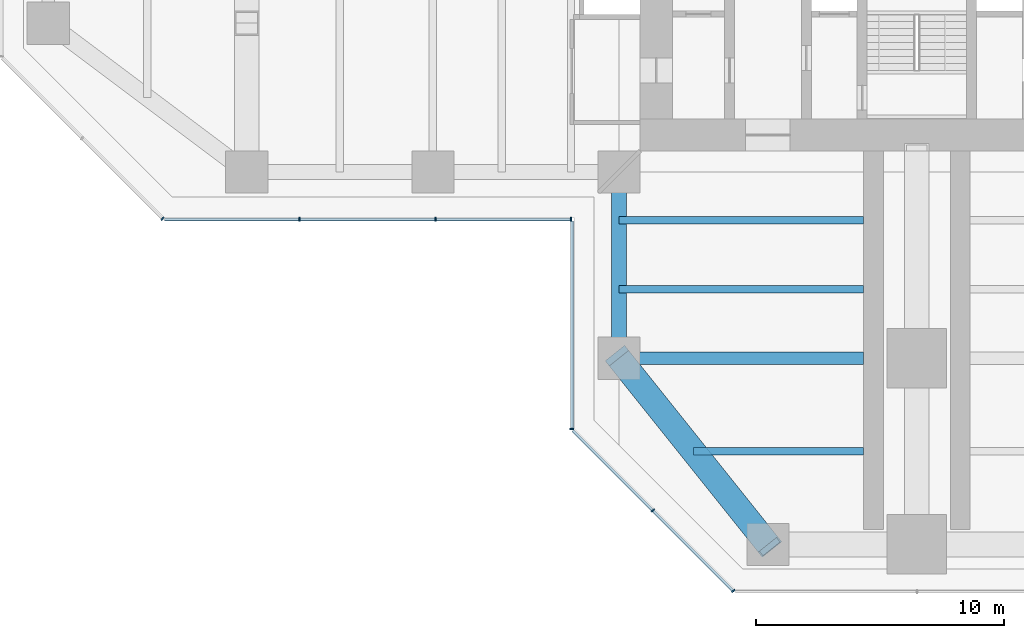
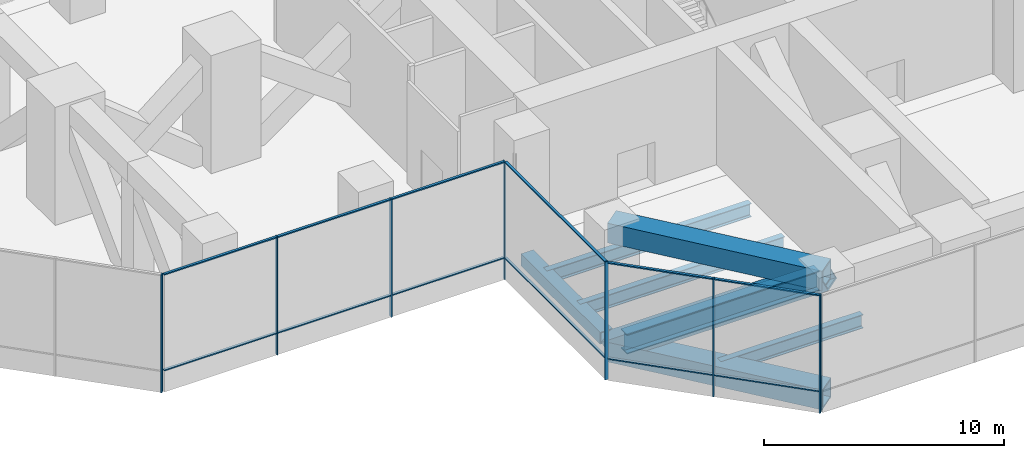
# One storey, part 2 of 19: 22 members, 5 beams, 4 elements without a shape of their own.
"""IFC4 building model written with IfcOpenShell, lengths in metres."""

from ifc_helpers import new_model, si_unit, direction, frame, origin, origin_2d, place, context, subcontext, project, spatial, rectangle, hollow_rectangle, i_section, extrude, material, material_profile, profile_set, type_object, element, aggregate, save


model = new_model("IFC4")

# Units and contexts
model_context = context("Model", 3, precision=1e-05, world=origin(), true_north=direction((0.0, 1.0)))
body_context = subcontext(model_context, "Body", "Model", "MODEL_VIEW")
ifc_project = project(units=[si_unit("LENGTHUNIT", "METRE"), si_unit("AREAUNIT", "SQUARE_METRE"), si_unit("VOLUMEUNIT", "CUBIC_METRE"), si_unit("PLANEANGLEUNIT", "RADIAN"), si_unit("MASSUNIT", "GRAM", prefix="KILO")], contexts=[model_context])

# Site, building, storey
site_placement = place(None, origin())
site = spatial("IfcSite", under=ifc_project, at=site_placement, CompositionType="ELEMENT")
building_placement = place(site_placement, origin())
building = spatial("IfcBuilding", under=site, at=building_placement, Name="Mizan Broadcast Tower", CompositionType="ELEMENT")
storey_placement = place(building_placement, frame((0.0, 0.0, 198.89990234375)))
storey = spatial("IfcBuildingStorey", under=building, at=storey_placement, Name="L46", CompositionType="ELEMENT", Elevation=198.89990234375)

# Members
ifc_material_1 = material(Name="Steel S460", Category="steel")
ifc_material_profile_1 = material_profile(ifc_material_1, hollow_rectangle(XDim=1.0, YDim=1.0, WallThickness=0.080078125, at=origin_2d()), Name="BOX 1000x1000x80")
ifc_profile_set_1 = profile_set([ifc_material_profile_1], Name="Steel S460")
member_type_1 = type_object("IfcMemberType", Name="BELT TRUSS BT3 CHORD BOX 1000x1000x80", PredefinedType="CHORD", material=ifc_profile_set_1)
for number, where, z_axis, x_axis, name in (
    (1, (-12.0, -19.5, -0.679931640625), (0.624695047554, -0.780868809443, 0.0), (0.780868809443, 0.624695047554, 0.0), "Belt truss BT3-S27 bottom chord 1"),
    (2, (-12.0, -19.5, 5.3701171875), (0.624695047554, -0.780868809443, 0.0), (0.780868809443, 0.624695047554, 0.0), "Belt truss BT3-S27 top chord 1"),
):
    element("IfcMember", number, at=place(storey_placement, frame(where, z_axis=z_axis, x_axis=x_axis)), inside=storey, type_object=member_type_1, Name=name, PredefinedType="CHORD", context=body_context, shape_type="SweptSolid", body=[
        extrude(hollow_rectangle(XDim=1.0, YDim=1.0, WallThickness=0.080078125, at=origin_2d()), origin(), (0.0, 0.0, 1.0), 9.604736328125),
    ])
ifc_material_2 = material(Name="Steel S460", Category="steel")
ifc_material_profile_2 = material_profile(ifc_material_2, hollow_rectangle(XDim=1.0, YDim=1.0, WallThickness=0.06005859375, at=origin_2d()), Name="BOX 1000x1000x60")
ifc_profile_set_2 = profile_set([ifc_material_profile_2], Name="Steel S460")
member_type_2 = type_object("IfcMemberType", Name="BELT TRUSS BT3 DIAGONAL BOX 1000x1000x60", PredefinedType="BRACE", material=ifc_profile_set_2)
member_1_placement = place(storey_placement, frame((-12.0, -19.5, -0.679931640625), z_axis=(0.528571606356, -0.660714507945, 0.532980671269), x_axis=(0.780868809443, 0.624695047554, 0.0)))
element("IfcMember", 3, at=member_1_placement, inside=storey, type_object=member_type_2, Name="Belt truss BT3-S27 diagonal 1", PredefinedType="BRACE", context=body_context, shape_type="SweptSolid", body=[
    extrude(hollow_rectangle(XDim=1.0, YDim=1.0, WallThickness=0.06005859375, at=origin_2d()), origin(), (0.0, 0.0, 1.0), 11.351318359375),
])

# Beams
ifc_material_3 = material(Name="Steel S355", Category="steel")
ifc_material_profile_3 = material_profile(ifc_material_3, hollow_rectangle(XDim=0.60009765625, YDim=0.60009765625, WallThickness=0.0400390625, at=origin_2d()), Name="BOX 600x600x40")
ifc_profile_set_3 = profile_set([ifc_material_profile_3], Name="Steel S355")
beam_type_1 = type_object("IfcBeamType", Name="EDGE BEAM BOX 600x600x40", PredefinedType="SPANDREL", material=ifc_profile_set_3)
beam_1_placement = place(storey_placement, frame((-12.0, -12.449951171875, -0.47998046875), z_axis=(0.0, -1.0, 0.0), x_axis=(1.0, 0.0, 0.0)))
element("IfcBeam", 4, at=beam_1_placement, inside=storey, type_object=beam_type_1, Name="Edge beam BOX 600x600x40 L46 south arm", PredefinedType="SPANDREL", context=body_context, shape_type="SweptSolid", body=[
    extrude(hollow_rectangle(XDim=0.60009765625, YDim=0.60009765625, WallThickness=0.0400390625, at=origin_2d()), origin(), (0.0, 0.0, 1.0), 6.60009765625),
])
ifc_material_4 = material(Name="Steel S460", Category="steel")
ifc_material_profile_4 = material_profile(ifc_material_4, i_section(OverallWidth=0.5, OverallDepth=1.0, WebThickness=0.02490234375, FlangeThickness=0.050048828125, at=origin_2d()), Name="WPG 1000x500")
ifc_profile_set_4 = profile_set([ifc_material_profile_4], Name="Steel S460")
beam_type_2 = type_object("IfcBeamType", Name="GIRDER WPG 1000x500", PredefinedType="BEAM", material=ifc_profile_set_4)
beam_2_placement = place(storey_placement, frame((-11.408935546875, -19.5, -0.679931640625), z_axis=(1.0, 0.0, 0.0), x_axis=(0.0, 1.0, 0.0)))
element("IfcBeam", 5, at=beam_2_placement, inside=storey, type_object=beam_type_2, Name="Girder WPG 1000x500 L46 south arm", PredefinedType="BEAM", context=body_context, shape_type="SweptSolid", body=[
    extrude(i_section(OverallWidth=0.5, OverallDepth=1.0, WebThickness=0.02490234375, FlangeThickness=0.050048828125, at=origin_2d()), origin(), (0.0, 0.0, 1.0), 9.259033203125),
])

# Curtain wall, member
ifc_material_5 = material(Name="Aluminium framed glazing", Category="aluminium")
curtain_wall_type = type_object("IfcCurtainWallType", Name="PLANT LOUVRE", PredefinedType="USERDEFINED", material=ifc_material_5)
curtain_wall_1_placement = place(storey_placement, origin())
curtain_wall_1 = element("IfcCurtainWall", 6, at=curtain_wall_1_placement, inside=storey, type_object=curtain_wall_type, Name="Plant louvre L46 W chamfer", ObjectType="PLANT LOUVRE", PredefinedType="USERDEFINED")
ifc_material_6 = material(Name="Aluminium, pale anodised", Category="aluminium")
ifc_material_profile_5 = material_profile(ifc_material_6, rectangle(XDim=0.159912109375, YDim=0.06005859375, at=origin_2d()), Name="MULLION 160x60")
ifc_profile_set_5 = profile_set([ifc_material_profile_5], Name="Aluminium, pale anodised")
member_type_3 = type_object("IfcMemberType", Name="INNER SKIN MULLION 60x160", PredefinedType="MULLION", material=ifc_profile_set_5)
member_2_placement = place(storey_placement, frame((-30.39404296875, -13.87890625, 0.0), z_axis=(0.0, 0.0, 1.0), x_axis=(0.707106781187, 0.707106781187, 0.0)))
member_2 = element("IfcMember", 7, at=member_2_placement, type_object=member_type_3, Name="Plant louvre L46 W chamfer mullion 3", PredefinedType="MULLION", context=body_context, shape_type="SweptSolid", body=[
    extrude(rectangle(XDim=0.159912109375, YDim=0.06005859375, at=origin_2d()), origin(), (0.0, 0.0, 1.0), 6.0),
])
aggregate(curtain_wall_1, [member_2])

# Curtain wall, members
curtain_wall_2_placement = place(storey_placement, origin())
curtain_wall_2 = element("IfcCurtainWall", 8, at=curtain_wall_2_placement, inside=storey, type_object=curtain_wall_type, Name="Plant louvre L46 W side", ObjectType="PLANT LOUVRE", PredefinedType="USERDEFINED")
member_3_placement = place(storey_placement, frame((-24.8818359375, -13.89990234375, 0.0), z_axis=(0.0, 0.0, 1.0), x_axis=(0.0, 1.0, 0.0)))
member_3 = element("IfcMember", 9, at=member_3_placement, type_object=member_type_3, Name="Plant louvre L46 W side mullion 2", PredefinedType="MULLION", context=body_context, shape_type="SweptSolid", body=[
    extrude(rectangle(XDim=0.159912109375, YDim=0.06005859375, at=origin_2d()), origin(), (0.0, 0.0, 1.0), 6.0),
])
member_4_placement = place(storey_placement, frame((-19.390869140625, -13.89990234375, 0.0), z_axis=(0.0, 0.0, 1.0), x_axis=(0.0, 1.0, 0.0)))
member_4 = element("IfcMember", 10, at=member_4_placement, type_object=member_type_3, Name="Plant louvre L46 W side mullion 3", PredefinedType="MULLION", context=body_context, shape_type="SweptSolid", body=[
    extrude(rectangle(XDim=0.159912109375, YDim=0.06005859375, at=origin_2d()), origin(), (0.0, 0.0, 1.0), 6.0),
])
member_5_placement = place(storey_placement, frame((-13.929931640625, -13.89990234375, 0.0), z_axis=(0.0, 0.0, 1.0), x_axis=(0.0, 1.0, 0.0)))
member_5 = element("IfcMember", 11, at=member_5_placement, type_object=member_type_3, Name="Plant louvre L46 W side mullion 4", PredefinedType="MULLION", context=body_context, shape_type="SweptSolid", body=[
    extrude(rectangle(XDim=0.159912109375, YDim=0.06005859375, at=origin_2d()), origin(), (0.0, 0.0, 1.0), 6.0),
])

# Curtain wall, member
curtain_wall_3_placement = place(storey_placement, origin())
curtain_wall_3 = element("IfcCurtainWall", 12, at=curtain_wall_3_placement, inside=storey, type_object=curtain_wall_type, Name="Plant louvre L46 S side", ObjectType="PLANT LOUVRE", PredefinedType="USERDEFINED")
member_6_placement = place(storey_placement, frame((-13.89990234375, -22.3427734375, 0.0), z_axis=(0.0, 0.0, 1.0), x_axis=(1.0, 0.0, 0.0)))
member_6 = element("IfcMember", 13, at=member_6_placement, type_object=member_type_3, Name="Plant louvre L46 S side mullion 2", PredefinedType="MULLION", context=body_context, shape_type="SweptSolid", body=[
    extrude(rectangle(XDim=0.159912109375, YDim=0.06005859375, at=origin_2d()), origin(), (0.0, 0.0, 1.0), 6.0),
])

# Curtain wall, members
curtain_wall_4_placement = place(storey_placement, origin())
curtain_wall_4 = element("IfcCurtainWall", 14, at=curtain_wall_4_placement, inside=storey, type_object=curtain_wall_type, Name="Plant louvre L46 S chamfer", ObjectType="PLANT LOUVRE", PredefinedType="USERDEFINED")
member_7_placement = place(storey_placement, frame((-10.636474609375, -25.636474609375, 0.0), z_axis=(0.0, 0.0, 1.0), x_axis=(0.707106781187, 0.707106781187, 0.0)))
member_7 = element("IfcMember", 15, at=member_7_placement, type_object=member_type_3, Name="Plant louvre L46 S chamfer mullion 2", PredefinedType="MULLION", context=body_context, shape_type="SweptSolid", body=[
    extrude(rectangle(XDim=0.159912109375, YDim=0.06005859375, at=origin_2d()), origin(), (0.0, 0.0, 1.0), 6.0),
])
member_8_placement = place(storey_placement, frame((-7.39404296875, -28.87890625, 0.0), z_axis=(0.0, 0.0, 1.0), x_axis=(0.707106781187, 0.707106781187, 0.0)))
member_8 = element("IfcMember", 16, at=member_8_placement, type_object=member_type_3, Name="Plant louvre L46 S chamfer mullion 3", PredefinedType="MULLION", context=body_context, shape_type="SweptSolid", body=[
    extrude(rectangle(XDim=0.159912109375, YDim=0.06005859375, at=origin_2d()), origin(), (0.0, 0.0, 1.0), 6.0),
])

# Member
ifc_material_7 = material(Name="Aluminium, pale anodised", Category="aluminium")
ifc_material_profile_6 = material_profile(ifc_material_7, rectangle(XDim=0.1201171875, YDim=0.06005859375, at=origin_2d()), Name="TRANSOM 120x60")
ifc_profile_set_6 = profile_set([ifc_material_profile_6], Name="Aluminium, pale anodised")
member_type_4 = type_object("IfcMemberType", Name="INNER SKIN TRANSOM 60x120", PredefinedType="USERDEFINED", material=ifc_profile_set_6)
member_9_placement = place(storey_placement, frame((-30.312744140625, -13.89990234375, 1.10009765625), z_axis=(1.0, 0.0, 0.0), x_axis=(0.0, 1.0, 0.0)))
member_9 = element("IfcMember", 17, at=member_9_placement, type_object=member_type_4, Name="Plant louvre L46 W side transom 1.1", ObjectType="TRANSOM", PredefinedType="USERDEFINED", context=body_context, shape_type="SweptSolid", body=[
    extrude(rectangle(XDim=0.1201171875, YDim=0.06005859375, at=origin_2d()), origin(), (0.0, 0.0, 1.0), 5.40087890625),
])

member_10_placement = place(storey_placement, frame((-30.312744140625, -13.89990234375, 5.97021484375), z_axis=(1.0, 0.0, 0.0), x_axis=(0.0, 1.0, 0.0)))
member_10 = element("IfcMember", 18, at=member_10_placement, type_object=member_type_4, Name="Plant louvre L46 W side transom 1.2", ObjectType="TRANSOM", PredefinedType="USERDEFINED", context=body_context, shape_type="SweptSolid", body=[
    extrude(rectangle(XDim=0.1201171875, YDim=0.06005859375, at=origin_2d()), origin(), (0.0, 0.0, 1.0), 5.40087890625),
])

member_11_placement = place(storey_placement, frame((-24.851806640625, -13.89990234375, 1.10009765625), z_axis=(1.0, 0.0, 0.0), x_axis=(0.0, 1.0, 0.0)))
member_11 = element("IfcMember", 19, at=member_11_placement, type_object=member_type_4, Name="Plant louvre L46 W side transom 2.1", ObjectType="TRANSOM", PredefinedType="USERDEFINED", context=body_context, shape_type="SweptSolid", body=[
    extrude(rectangle(XDim=0.1201171875, YDim=0.06005859375, at=origin_2d()), origin(), (0.0, 0.0, 1.0), 5.430908203125),
])

member_12_placement = place(storey_placement, frame((-24.851806640625, -13.89990234375, 5.97021484375), z_axis=(1.0, 0.0, 0.0), x_axis=(0.0, 1.0, 0.0)))
member_12 = element("IfcMember", 20, at=member_12_placement, type_object=member_type_4, Name="Plant louvre L46 W side transom 2.2", ObjectType="TRANSOM", PredefinedType="USERDEFINED", context=body_context, shape_type="SweptSolid", body=[
    extrude(rectangle(XDim=0.1201171875, YDim=0.06005859375, at=origin_2d()), origin(), (0.0, 0.0, 1.0), 5.430908203125),
])

member_13_placement = place(storey_placement, frame((-19.36083984375, -13.89990234375, 1.10009765625), z_axis=(1.0, 0.0, 0.0), x_axis=(0.0, 1.0, 0.0)))
member_13 = element("IfcMember", 21, at=member_13_placement, type_object=member_type_4, Name="Plant louvre L46 W side transom 3.1", ObjectType="TRANSOM", PredefinedType="USERDEFINED", context=body_context, shape_type="SweptSolid", body=[
    extrude(rectangle(XDim=0.1201171875, YDim=0.06005859375, at=origin_2d()), origin(), (0.0, 0.0, 1.0), 5.40087890625),
])

member_14_placement = place(storey_placement, frame((-19.36083984375, -13.89990234375, 5.97021484375), z_axis=(1.0, 0.0, 0.0), x_axis=(0.0, 1.0, 0.0)))
member_14 = element("IfcMember", 22, at=member_14_placement, type_object=member_type_4, Name="Plant louvre L46 W side transom 3.2", ObjectType="TRANSOM", PredefinedType="USERDEFINED", context=body_context, shape_type="SweptSolid", body=[
    extrude(rectangle(XDim=0.1201171875, YDim=0.06005859375, at=origin_2d()), origin(), (0.0, 0.0, 1.0), 5.40087890625),
])

aggregate(curtain_wall_2, [member_3, member_4, member_5, member_9, member_10, member_11, member_12, member_13, member_14])

member_15_placement = place(storey_placement, frame((-13.89990234375, -13.9599609375, 1.10009765625), z_axis=(0.0, -1.0, 0.0), x_axis=(1.0, 0.0, 0.0)))
member_15 = element("IfcMember", 23, at=member_15_placement, type_object=member_type_4, Name="Plant louvre L46 S side transom 1.1", ObjectType="TRANSOM", PredefinedType="USERDEFINED", context=body_context, shape_type="SweptSolid", body=[
    extrude(rectangle(XDim=0.1201171875, YDim=0.06005859375, at=origin_2d()), origin(), (0.0, 0.0, 1.0), 8.352783203125),
])

member_16_placement = place(storey_placement, frame((-13.89990234375, -13.9599609375, 5.97021484375), z_axis=(0.0, -1.0, 0.0), x_axis=(1.0, 0.0, 0.0)))
member_16 = element("IfcMember", 24, at=member_16_placement, type_object=member_type_4, Name="Plant louvre L46 S side transom 1.2", ObjectType="TRANSOM", PredefinedType="USERDEFINED", context=body_context, shape_type="SweptSolid", body=[
    extrude(rectangle(XDim=0.1201171875, YDim=0.06005859375, at=origin_2d()), origin(), (0.0, 0.0, 1.0), 8.352783203125),
])

aggregate(curtain_wall_3, [member_6, member_15, member_16])

member_17_placement = place(storey_placement, frame((-13.857666015625, -22.415283203125, 1.10009765625), z_axis=(0.707106781187, -0.707106781187, 0.0), x_axis=(0.707106781187, 0.707106781187, 0.0)))
member_17 = element("IfcMember", 25, at=member_17_placement, type_object=member_type_4, Name="Plant louvre L46 S chamfer transom 1.1", ObjectType="TRANSOM", PredefinedType="USERDEFINED", context=body_context, shape_type="SweptSolid", body=[
    extrude(rectangle(XDim=0.1201171875, YDim=0.06005859375, at=origin_2d()), origin(), (0.0, 0.0, 1.0), 4.525390625),
])

member_18_placement = place(storey_placement, frame((-13.857666015625, -22.415283203125, 5.97021484375), z_axis=(0.707106781187, -0.707106781187, 0.0), x_axis=(0.707106781187, 0.707106781187, 0.0)))
member_18 = element("IfcMember", 26, at=member_18_placement, type_object=member_type_4, Name="Plant louvre L46 S chamfer transom 1.2", ObjectType="TRANSOM", PredefinedType="USERDEFINED", context=body_context, shape_type="SweptSolid", body=[
    extrude(rectangle(XDim=0.1201171875, YDim=0.06005859375, at=origin_2d()), origin(), (0.0, 0.0, 1.0), 4.525390625),
])

member_19_placement = place(storey_placement, frame((-10.615234375, -25.65771484375, 1.10009765625), z_axis=(0.707106781187, -0.707106781187, 0.0), x_axis=(0.707106781187, 0.707106781187, 0.0)))
member_19 = element("IfcMember", 27, at=member_19_placement, type_object=member_type_4, Name="Plant louvre L46 S chamfer transom 2.1", ObjectType="TRANSOM", PredefinedType="USERDEFINED", context=body_context, shape_type="SweptSolid", body=[
    extrude(rectangle(XDim=0.1201171875, YDim=0.06005859375, at=origin_2d()), origin(), (0.0, 0.0, 1.0), 4.525390625),
])

member_20_placement = place(storey_placement, frame((-10.615234375, -25.65771484375, 5.97021484375), z_axis=(0.707106781187, -0.707106781187, 0.0), x_axis=(0.707106781187, 0.707106781187, 0.0)))
member_20 = element("IfcMember", 28, at=member_20_placement, type_object=member_type_4, Name="Plant louvre L46 S chamfer transom 2.2", ObjectType="TRANSOM", PredefinedType="USERDEFINED", context=body_context, shape_type="SweptSolid", body=[
    extrude(rectangle(XDim=0.1201171875, YDim=0.06005859375, at=origin_2d()), origin(), (0.0, 0.0, 1.0), 4.525390625),
])

aggregate(curtain_wall_4, [member_7, member_8, member_17, member_18, member_19, member_20])

# Beams
ifc_material_8 = material(Name="Steel S355", Category="steel")
ifc_material_profile_7 = material_profile(ifc_material_8, i_section(OverallWidth=0.300048828125, OverallDepth=0.68994140625, WebThickness=0.014404296875, FlangeThickness=0.027099609375, FilletRadius=0.027099609375, at=origin_2d()), Name="HEA 700")
ifc_profile_set_7 = profile_set([ifc_material_profile_7], Name="Steel S355")
beam_type_3 = type_object("IfcBeamType", Name="SECONDARY BEAM HEA 700", PredefinedType="JOIST", material=ifc_profile_set_7)
for number, where, z_axis, x_axis, name in (
    (29, (-12.0, -13.933349609375, -0.52490234375), (1.0, 0.0, 0.0), (0.0, 1.0, 0.0), "Secondary beam HEA 700 L46 south arm"),
    (30, (-12.0, -16.716552734375, -0.52490234375), (1.0, 0.0, 0.0), (0.0, 1.0, 0.0), "Secondary beam HEA 700 L46 south arm"),
):
    element("IfcBeam", number, at=place(storey_placement, frame(where, z_axis=z_axis, x_axis=x_axis)), inside=storey, type_object=beam_type_3, Name=name, PredefinedType="JOIST", context=body_context, shape_type="SweptSolid", body=[
        extrude(i_section(OverallWidth=0.300048828125, OverallDepth=0.68994140625, WebThickness=0.014404296875, FlangeThickness=0.027099609375, FilletRadius=0.027099609375, at=origin_2d()), origin(), (0.0, 0.0, 1.0), 9.85009765625),
    ])
beam_3_placement = place(storey_placement, frame((-9.0, -23.25, -0.52490234375), z_axis=(1.0, 0.0, 0.0), x_axis=(0.0, 1.0, 0.0)))
element("IfcBeam", 31, at=beam_3_placement, inside=storey, type_object=beam_type_3, Name="Secondary beam HEA 700 L46 south arm", PredefinedType="JOIST", context=body_context, shape_type="SweptSolid", body=[
    extrude(i_section(OverallWidth=0.300048828125, OverallDepth=0.68994140625, WebThickness=0.014404296875, FlangeThickness=0.027099609375, FilletRadius=0.027099609375, at=origin_2d()), origin(), (0.0, 0.0, 1.0), 6.85009765625),
])

save(model, "model.ifc")
